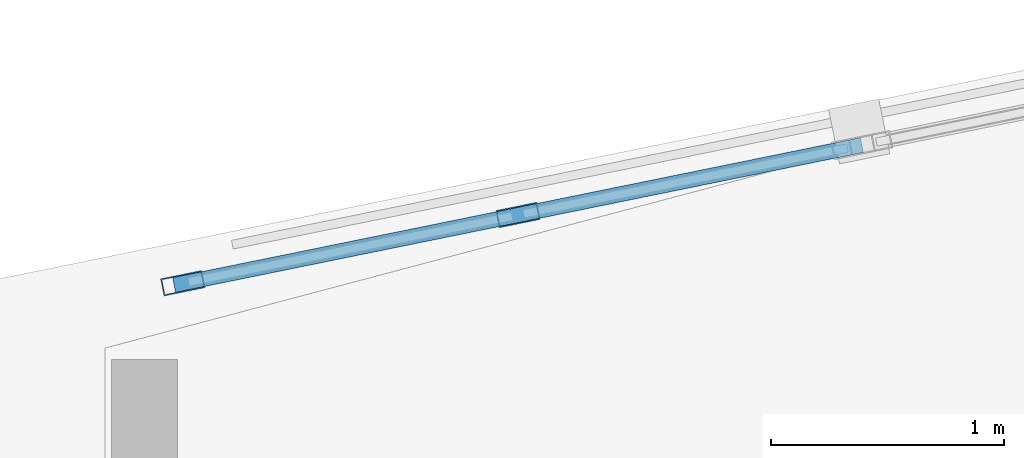
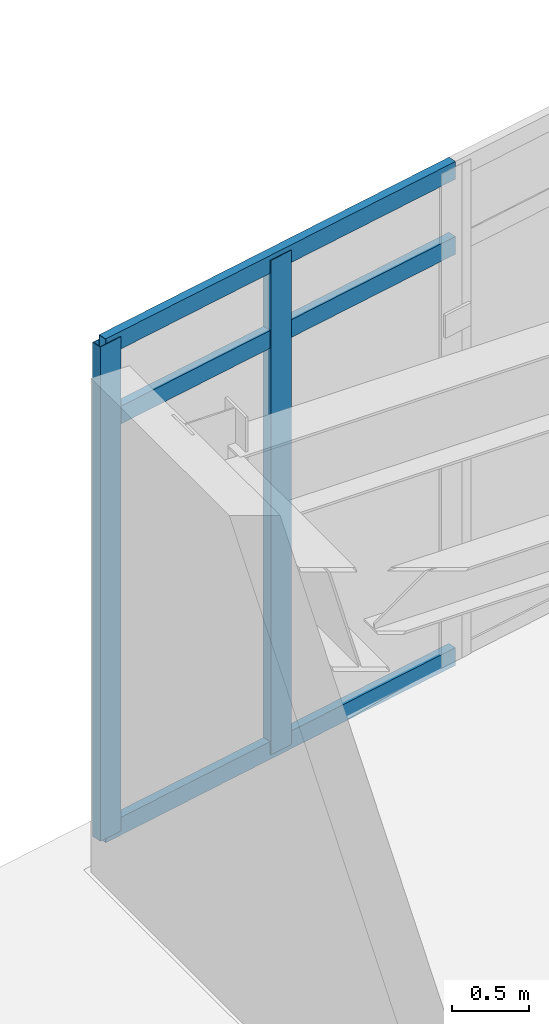
# One storey, part 16 of 59: 5 members, 1 element without a shape of its own.
"""IFC4 building model written with IfcOpenShell, lengths in metres."""

from ifc_helpers import new_model, si_unit, direction, frame, origin, origin_2d, place, context, subcontext, project, spatial, hollow_rectangle, extrude, material, layer, layer_set, material_profile, profile_set, type_object, element, aggregate, save


model = new_model("IFC4")

# Units and contexts
model_context = context("Model", 3, precision=1e-05, world=origin(), true_north=direction((0.0, 1.0)))
body_context = subcontext(model_context, "Body", "Model", "MODEL_VIEW")
ifc_project = project(units=[si_unit("LENGTHUNIT", "METRE"), si_unit("AREAUNIT", "SQUARE_METRE"), si_unit("VOLUMEUNIT", "CUBIC_METRE"), si_unit("PLANEANGLEUNIT", "RADIAN"), si_unit("MASSUNIT", "GRAM", prefix="KILO")], contexts=[model_context])

# Site, building, storey
site_placement = place(None, origin())
site = spatial("IfcSite", under=ifc_project, at=site_placement, CompositionType="ELEMENT")
building_placement = place(site_placement, origin())
building = spatial("IfcBuilding", under=site, at=building_placement, Name="Sollismere Congress Hotel", CompositionType="ELEMENT")
storey_placement = place(building_placement, frame((0.0, 0.0, 15.60009765625)))
storey = spatial("IfcBuildingStorey", under=building, at=storey_placement, Name="L03", CompositionType="ELEMENT", Elevation=15.60009765625)

# Curtain wall, members
ifc_material_1 = material(Name="Anodized Bronze Curtain Wall & Low-E Triple Glazing", Category="glass")
ifc_layer = layer(ifc_material_1, 0.199951171875, Name="Anodized Bronze Curtain Wall & Low-E Triple Glazing")
ifc_layer_set = layer_set([ifc_layer], Name="Anodized Bronze Curtain Wall & Low-E Triple Glazing")
curtain_wall_type = type_object("IfcCurtainWallType", Name="CW-GLZ36", PredefinedType="USERDEFINED", material=ifc_layer_set)
curtain_wall_placement = place(storey_placement, origin())
curtain_wall = element("IfcCurtainWall", 1, at=curtain_wall_placement, inside=storey, type_object=curtain_wall_type, Name="Unitised curtain wall CW-L03-105", ObjectType="UNITISED CURTAIN WALL", PredefinedType="USERDEFINED")
ifc_material_2 = material(Name="Anodized Aluminum 6063-T6", Category="aluminium")
ifc_material_profile_1 = material_profile(ifc_material_2, hollow_rectangle(XDim=0.074951171875, YDim=0.179931640625, WallThickness=0.0048828125, at=origin_2d()), Name="ALU180X75X5")
ifc_profile_set_1 = profile_set([ifc_material_profile_1], Name="Anodized Aluminum 6063-T6")
member_type_1 = type_object("IfcMemberType", Name="ML-CW180", PredefinedType="MULLION", material=ifc_profile_set_1)
member_1_placement = place(storey_placement, frame((60.2548828125, 103.478759765625, 0.0), z_axis=(0.0, 0.0, 1.0), x_axis=(-0.199367934417, 0.979924704621, 0.0)))
member_1 = element("IfcMember", 2, at=member_1_placement, type_object=member_type_1, Name="CWL-CW-L03-105-ML01", PredefinedType="MULLION", context=body_context, shape_type="SweptSolid", body=[
    extrude(hollow_rectangle(XDim=0.074951171875, YDim=0.179931640625, WallThickness=0.0048828125, at=origin_2d()), origin(), (0.0, 0.0, 1.0), 3.89990234375),
])
member_2_placement = place(storey_placement, frame((61.6962890625, 103.772216796875, 0.0), z_axis=(0.0, 0.0, 1.0), x_axis=(-0.199367934417, 0.979924704621, 0.0)))
member_2 = element("IfcMember", 3, at=member_2_placement, type_object=member_type_1, Name="CWL-CW-L03-105-ML02", PredefinedType="MULLION", context=body_context, shape_type="SweptSolid", body=[
    extrude(hollow_rectangle(XDim=0.074951171875, YDim=0.179931640625, WallThickness=0.0048828125, at=origin_2d()), origin(), (0.0, 0.0, 1.0), 3.89990234375),
])
ifc_material_profile_2 = material_profile(ifc_material_2, hollow_rectangle(XDim=0.06494140625, YDim=0.139892578125, WallThickness=0.00390625, at=origin_2d()), Name="ALU140X65X4")
ifc_profile_set_2 = profile_set([ifc_material_profile_2], Name="Anodized Aluminum 6063-T6")
member_type_2 = type_object("IfcMemberType", Name="TR-CW150", PredefinedType="MEMBER", material=ifc_profile_set_2)
member_3_placement = place(storey_placement, frame((60.217529296875, 103.47119140625, 0.032470703125), z_axis=(0.979918717144, 0.199397361545, 0.0), x_axis=(-0.199397361545, 0.979918717144, 0.0)))
member_3 = element("IfcMember", 4, at=member_3_placement, type_object=member_type_2, Name="CWL-CW-L03-105-TR1", PredefinedType="MEMBER", context=body_context, shape_type="SweptSolid", body=[
    extrude(hollow_rectangle(XDim=0.06494140625, YDim=0.139892578125, WallThickness=0.00390625, at=origin_2d()), origin(), (0.0, 0.0, 1.0), 3.01806640625),
])
member_4_placement = place(storey_placement, frame((60.217529296875, 103.47119140625, 3.27587890625), z_axis=(0.979918717144, 0.199397361545, 0.0), x_axis=(-0.199397361545, 0.979918717144, 0.0)))
member_4 = element("IfcMember", 5, at=member_4_placement, type_object=member_type_2, Name="CWL-CW-L03-105-TR2", PredefinedType="MEMBER", context=body_context, shape_type="SweptSolid", body=[
    extrude(hollow_rectangle(XDim=0.06494140625, YDim=0.139892578125, WallThickness=0.00390625, at=origin_2d()), origin(), (0.0, 0.0, 1.0), 3.01806640625),
])
member_5_placement = place(storey_placement, frame((60.217529296875, 103.47119140625, 3.867431640625), z_axis=(0.979918717144, 0.199397361545, 0.0), x_axis=(-0.199397361545, 0.979918717144, 0.0)))
member_5 = element("IfcMember", 6, at=member_5_placement, type_object=member_type_2, Name="CWL-CW-L03-105-TR3", PredefinedType="MEMBER", context=body_context, shape_type="SweptSolid", body=[
    extrude(hollow_rectangle(XDim=0.06494140625, YDim=0.139892578125, WallThickness=0.00390625, at=origin_2d()), origin(), (0.0, 0.0, 1.0), 3.01806640625),
])
aggregate(curtain_wall, [member_1, member_2, member_3, member_4, member_5])

save(model, "model.ifc")
